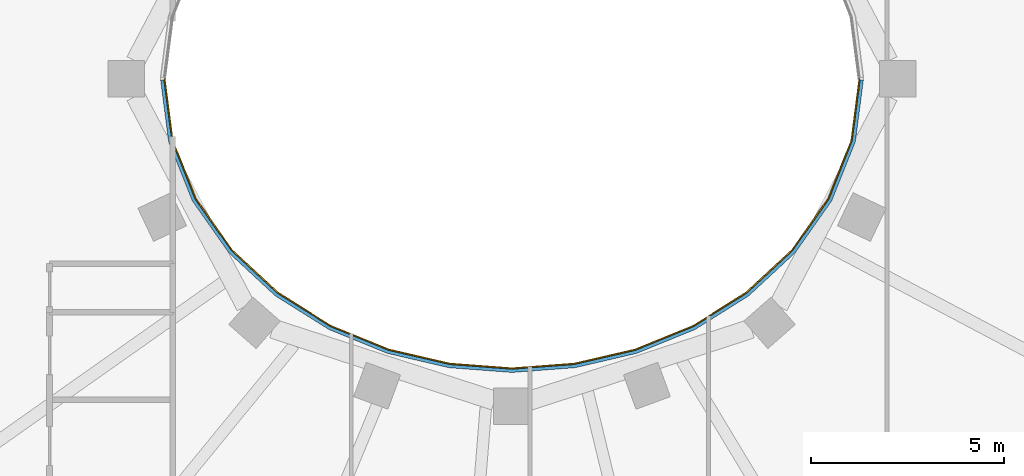
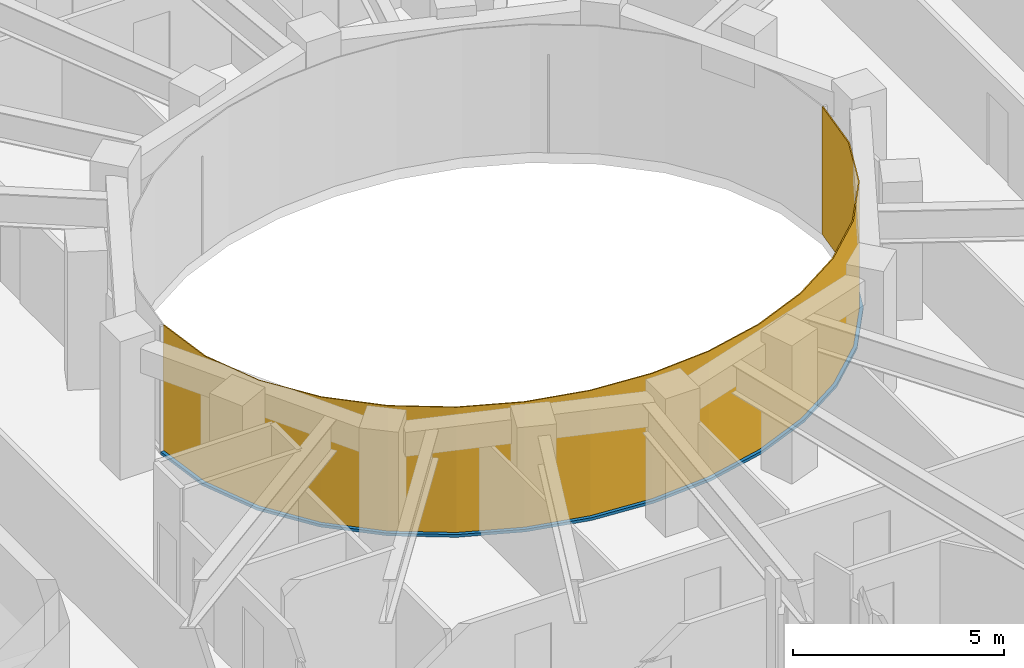
# One storey, part 10 of 17: 1 curtain wall, 1 member.
"""IFC4 building model written with IfcOpenShell, lengths in metres."""

from ifc_helpers import new_model, si_unit, direction, frame, origin, place, context, subcontext, project, spatial, polyline, outline, extrude, material, layer, layer_set, type_object, element, aggregate, save


model = new_model("IFC4")

# Units and contexts
model_context = context("Model", 3, precision=1e-05, world=origin(), true_north=direction((0.0, 1.0)))
body_context = subcontext(model_context, "Body", "Model", "MODEL_VIEW")
ifc_project = project(units=[si_unit("LENGTHUNIT", "METRE"), si_unit("AREAUNIT", "SQUARE_METRE"), si_unit("VOLUMEUNIT", "CUBIC_METRE"), si_unit("PLANEANGLEUNIT", "RADIAN"), si_unit("MASSUNIT", "GRAM", prefix="KILO")], contexts=[model_context])

# Member
ifc_material_1 = material(Name="Steel S355 fire-resisting frame", Category="steel")
member_type = type_object("IfcMemberType", Name="ENV-TRANSOM-W", PredefinedType="USERDEFINED", material=ifc_material_1)
site_placement = place(None, origin())
building_placement = place(site_placement, origin())
storey_placement = place(building_placement, frame((0.0, 0.0, 269.5)))
member_placement = place(storey_placement, origin())
member = element("IfcMember", 1, at=member_placement, type_object=member_type, Name="Transom W well 17-01", ObjectType="TRANSOM", PredefinedType="USERDEFINED", context=body_context, shape_type="SweptSolid", body=[
    extrude(outline(polyline([(-9.119384765625, -0.02783203125), (-8.910400390625, -1.63623046875), (-8.29833984375, -3.167236328125), (-7.35107421875, -4.5146484375), (-6.1455078125, -5.6337890625), (-4.75341796875, -6.50634765625), (-3.233642578125, -7.127685546875), (-1.635498046875, -7.498779296875), (0.0, -7.622314453125), (1.635498046875, -7.498779296875), (3.233642578125, -7.127685546875), (4.75341796875, -6.50634765625), (6.1455078125, -5.6337890625), (7.35107421875, -4.5146484375), (8.29833984375, -3.167236328125), (8.910400390625, -1.63623046875), (9.119384765625, -0.02783203125), (9.02880859375, -0.02783203125), (8.822509765625, -1.61328125), (8.21875, -3.124267578125), (7.282958984375, -4.455078125), (6.090576171875, -5.56201171875), (4.712158203125, -6.426025390625), (3.206298828125, -7.04150390625), (1.621826171875, -7.40966796875), (0.0, -7.531982421875), (-1.621826171875, -7.40966796875), (-3.206298828125, -7.04150390625), (-4.712158203125, -6.426025390625), (-6.090576171875, -5.56201171875), (-7.282958984375, -4.455078125), (-8.21875, -3.124267578125), (-8.822509765625, -1.61328125), (-9.02880859375, -0.02783203125), (-9.119384765625, -0.02783203125)])), origin(), (0.0, 0.0, 1.0), 0.080078125),
])

# Site, building, storey
site = spatial("IfcSite", under=ifc_project, at=site_placement, CompositionType="ELEMENT")
building = spatial("IfcBuilding", under=site, at=building_placement, Name="Noorbagh Ring Tower", CompositionType="ELEMENT")
storey = spatial("IfcBuildingStorey", under=building, at=storey_placement, Name="L57", CompositionType="ELEMENT", Elevation=269.5)

# Curtain wall
ifc_material_2 = material(Name="Glass fire-resisting E60 laminated", Category="glass")
ifc_layer = layer(ifc_material_2, 0.031982421875)
ifc_layer_set = layer_set([ifc_layer], Name="Glass fire-resisting E60 laminated")
curtain_wall_type = type_object("IfcCurtainWallType", Name="ENV-CW-W", PredefinedType="NOTDEFINED", material=ifc_layer_set)
curtain_wall_placement = place(storey_placement, origin())
curtain_wall = element("IfcCurtainWall", 2, at=curtain_wall_placement, inside=storey, type_object=curtain_wall_type, Name="Curtain wall W W17", PredefinedType="NOTDEFINED", context=body_context, shape_type="SweptSolid", body=[
    extrude(outline(polyline([(-9.0322265625, 0.0), (-8.822509765625, -1.61328125), (-8.21875, -3.124267578125), (-7.282958984375, -4.455078125), (-6.090576171875, -5.56201171875), (-4.712158203125, -6.426025390625), (-3.206298828125, -7.04150390625), (-1.621826171875, -7.40966796875), (0.0, -7.531982421875), (1.621826171875, -7.40966796875), (3.206298828125, -7.04150390625), (4.712158203125, -6.426025390625), (6.090576171875, -5.56201171875), (7.282958984375, -4.455078125), (8.21875, -3.124267578125), (8.822509765625, -1.61328125), (9.0322265625, 0.0), (9.0, 0.0), (8.79150390625, -1.605224609375), (8.1904296875, -3.10888671875), (7.2587890625, -4.43408203125), (6.071044921875, -5.53662109375), (4.697509765625, -6.3974609375), (3.196533203125, -7.010986328125), (1.6171875, -7.3779296875), (0.0, -7.5), (-1.6171875, -7.3779296875), (-3.196533203125, -7.010986328125), (-4.697509765625, -6.3974609375), (-6.071044921875, -5.53662109375), (-7.2587890625, -4.43408203125), (-8.1904296875, -3.10888671875), (-8.79150390625, -1.605224609375), (-9.0, 0.0), (-9.0322265625, 0.0)])), origin(), (0.0, 0.0, 1.0), 3.699951171875),
])

aggregate(curtain_wall, [member])

save(model, "model.ifc")
